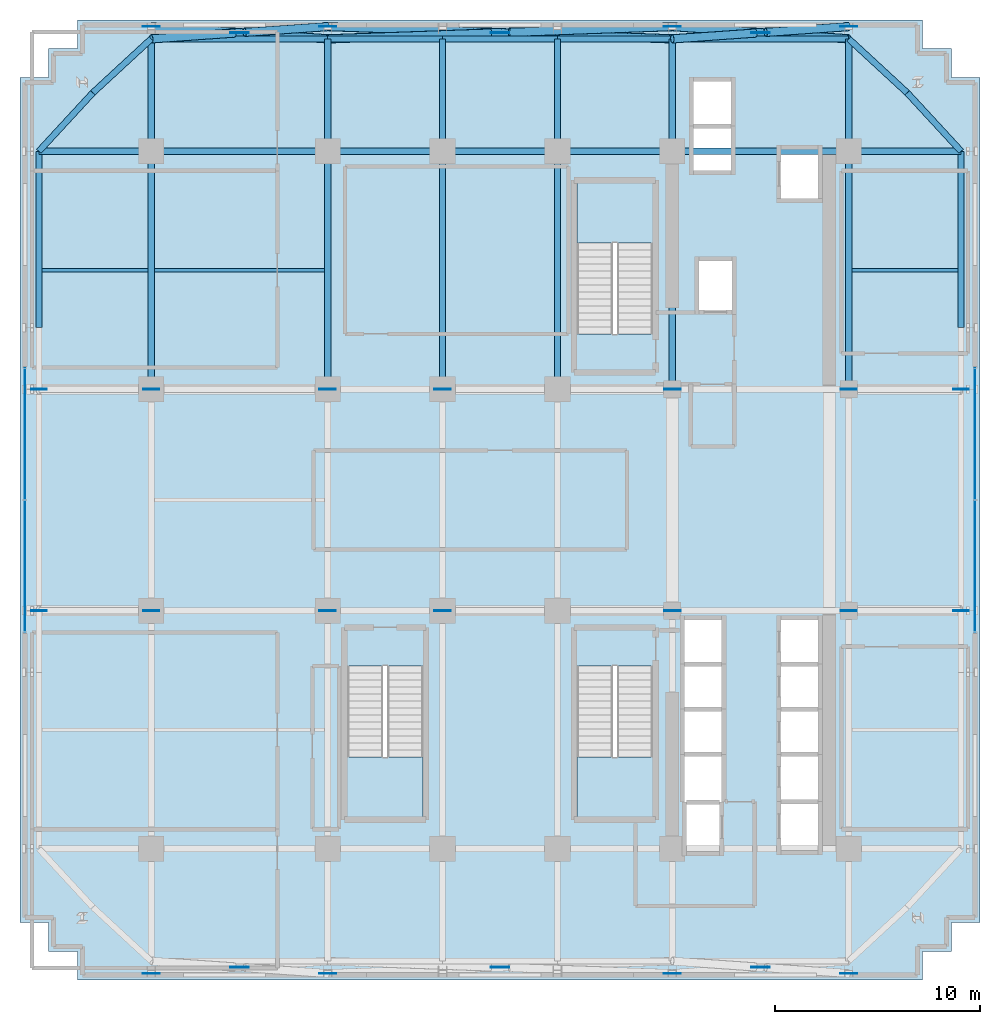
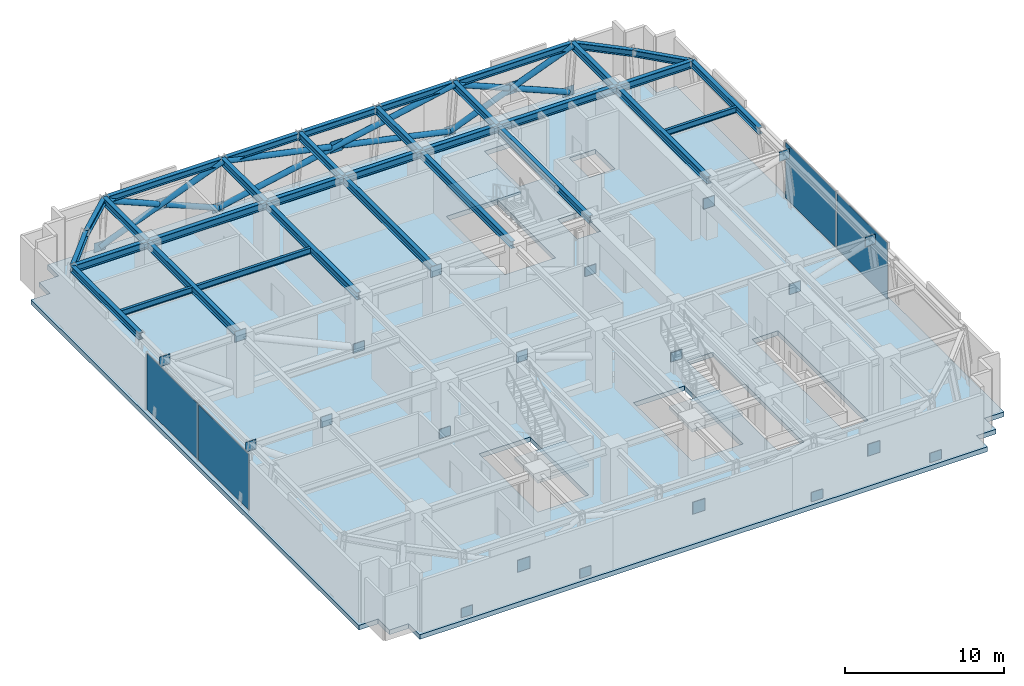
# One storey, part 8 of 15: 33 beams, 32 plates, 9 members, 4 slabs, 5 elements without a shape of their own.
"""IFC4 building model written with IfcOpenShell, lengths in metres."""

from ifc_helpers import new_model, si_unit, direction, frame, origin, origin_2d, place, context, subcontext, project, spatial, polyline, rectangle, hollow_circle, i_section, outline, extrude, source, transform, mapped, material, layer, layer_set, material_profile, profile_set, type_object, element, aggregate, save


model = new_model("IFC4")

# Units and contexts
model_context = context("Model", 3, precision=1e-05, world=origin(), true_north=direction((0.0, 1.0)))
body_context = subcontext(model_context, "Body", "Model", "MODEL_VIEW")
ifc_project = project(units=[si_unit("LENGTHUNIT", "METRE"), si_unit("AREAUNIT", "SQUARE_METRE"), si_unit("VOLUMEUNIT", "CUBIC_METRE"), si_unit("PLANEANGLEUNIT", "RADIAN"), si_unit("MASSUNIT", "GRAM", prefix="KILO")], contexts=[model_context])

# Site, building, storey
site_placement = place(None, origin())
site = spatial("IfcSite", under=ifc_project, at=site_placement, CompositionType="ELEMENT")
building_placement = place(site_placement, origin())
building = spatial("IfcBuilding", under=site, at=building_placement, Name="Nahalor Promenade Grand Hotel", CompositionType="ELEMENT")
storey_placement = place(building_placement, frame((0.0, 0.0, 144.199951171875)))
storey = spatial("IfcBuildingStorey", under=building, at=storey_placement, Name="L36", CompositionType="ELEMENT", Elevation=144.199951171875)

# Beams
ifc_material_1 = material(Name="Steel S355JR", Category="steel")
ifc_material_profile_1 = material_profile(ifc_material_1, i_section(OverallWidth=0.3, OverallDepth=0.5, WebThickness=0.0145, FlangeThickness=0.028, at=origin_2d()), Name="HEB 500")
ifc_profile_set_1 = profile_set([ifc_material_profile_1], Name="Steel S355JR")
beam_type_1 = type_object("IfcBeamType", Name="Beam-Spandrel-HEB500", PredefinedType="SPANDREL", material=ifc_profile_set_1)
shared_shape_1 = source(origin(), body_context, "Body", "SweptSolid", [
    extrude(i_section(OverallWidth=0.3, OverallDepth=0.5, WebThickness=0.0145, FlangeThickness=0.028, at=origin_2d()), origin(), (0.0, 0.0, 1.0), 8.60009765625),
])
for number, where, z_axis, x_axis, name in (
    (1, (-17.0, 22.47998046875, 4.2900390625), (1.0, 0.0, 0.0), (0.0, 1.0, 0.0), "BM-L36-SP-N-0"),
    (2, (8.39990234375, 22.47998046875, 4.2900390625), (1.0, 0.0, 0.0), (0.0, 1.0, 0.0), "BM-L36-SP-N-4"),
    (3, (-22.47998046875, 8.39990234375, 4.2900390625), (0.0, 1.0, 0.0), (-1.0, 0.0, 0.0), "BM-L36-SP-W-4"),
    (4, (22.47998046875, 8.39990234375, 4.2900390625), (0.0, 1.0, 0.0), (-1.0, 0.0, 0.0), "BM-L36-SP-E-4"),
):
    element("IfcBeam", number, at=place(storey_placement, frame(where, z_axis=z_axis, x_axis=x_axis)), inside=storey, type_object=beam_type_1, Name=name, PredefinedType="SPANDREL", context=body_context, shape_type="MappedRepresentation", body=[
        mapped(shared_shape_1, transform((0.0, 0.0, 0.0), scale=1.0)),
    ])
shared_shape_2 = source(origin(), body_context, "Body", "SweptSolid", [
    extrude(i_section(OverallWidth=0.3, OverallDepth=0.5, WebThickness=0.0145, FlangeThickness=0.028, at=origin_2d()), origin(), (0.0, 0.0, 1.0), 5.599853515625),
])
for number, where, z_axis, x_axis, name in (
    (5, (-8.39990234375, 22.47998046875, 4.2900390625), (1.0, 0.0, 0.0), (0.0, 1.0, 0.0), "BM-L36-SP-N-1"),
    (6, (2.800048828125, 22.47998046875, 4.2900390625), (1.0, 0.0, 0.0), (0.0, 1.0, 0.0), "BM-L36-SP-N-3"),
):
    element("IfcBeam", number, at=place(storey_placement, frame(where, z_axis=z_axis, x_axis=x_axis)), inside=storey, type_object=beam_type_1, Name=name, PredefinedType="SPANDREL", context=body_context, shape_type="MappedRepresentation", body=[
        mapped(shared_shape_2, transform((0.0, 0.0, 0.0), scale=1.0)),
    ])
shared_shape_3 = source(origin(), body_context, "Body", "SweptSolid", [
    extrude(i_section(OverallWidth=0.3, OverallDepth=0.5, WebThickness=0.0145, FlangeThickness=0.028, at=origin_2d()), origin(), (0.0, 0.0, 1.0), 5.60009765625),
])
beam_1_placement = place(storey_placement, frame((-2.800048828125, 22.47998046875, 4.2900390625), z_axis=(1.0, 0.0, 0.0), x_axis=(0.0, 1.0, 0.0)))
element("IfcBeam", 7, at=beam_1_placement, inside=storey, type_object=beam_type_1, Name="BM-L36-SP-N-2", PredefinedType="SPANDREL", context=body_context, shape_type="MappedRepresentation", body=[
    mapped(shared_shape_3, transform((0.0, 0.0, 0.0), scale=1.0)),
])
ifc_material_profile_2 = material_profile(ifc_material_1, i_section(OverallWidth=0.3, OverallDepth=0.55, WebThickness=0.015, FlangeThickness=0.029, at=origin_2d()), Name="HEB 550")
ifc_profile_set_2 = profile_set([ifc_material_profile_2], Name="Steel S355JR")
beam_type_2 = type_object("IfcBeamType", Name="Beam-Girder-HEB550", PredefinedType="BEAM", material=ifc_profile_set_2)
shared_shape_4 = source(origin(), body_context, "Body", "SweptSolid", [
    extrude(i_section(OverallWidth=0.3, OverallDepth=0.55, WebThickness=0.015, FlangeThickness=0.029, at=origin_2d()), origin(), (0.0, 0.0, 1.0), 8.60009765625),
])
for number, where, z_axis, x_axis, name in (
    (8, (-17.0, 17.0, 4.26513671875), (1.0, 0.0, 0.0), (0.0, 1.0, 0.0), "BM-L36-GX-3-1"),
    (9, (8.39990234375, 17.0, 4.26513671875), (1.0, 0.0, 0.0), (0.0, 1.0, 0.0), "BM-L36-GX-3-5"),
):
    element("IfcBeam", number, at=place(storey_placement, frame(where, z_axis=z_axis, x_axis=x_axis)), inside=storey, type_object=beam_type_2, Name=name, PredefinedType="BEAM", context=body_context, shape_type="MappedRepresentation", body=[
        mapped(shared_shape_4, transform((0.0, 0.0, 0.0), scale=1.0)),
    ])
shared_shape_5 = source(origin(), body_context, "Body", "SweptSolid", [
    extrude(i_section(OverallWidth=0.3, OverallDepth=0.55, WebThickness=0.015, FlangeThickness=0.029, at=origin_2d()), origin(), (0.0, 0.0, 1.0), 5.599853515625),
])
for number, where, z_axis, x_axis, name in (
    (10, (-8.39990234375, 17.0, 4.26513671875), (1.0, 0.0, 0.0), (0.0, 1.0, 0.0), "BM-L36-GX-3-2"),
    (11, (2.800048828125, 17.0, 4.26513671875), (1.0, 0.0, 0.0), (0.0, 1.0, 0.0), "BM-L36-GX-3-4"),
):
    element("IfcBeam", number, at=place(storey_placement, frame(where, z_axis=z_axis, x_axis=x_axis)), inside=storey, type_object=beam_type_2, Name=name, PredefinedType="BEAM", context=body_context, shape_type="MappedRepresentation", body=[
        mapped(shared_shape_5, transform((0.0, 0.0, 0.0), scale=1.0)),
    ])
shared_shape_6 = source(origin(), body_context, "Body", "SweptSolid", [
    extrude(i_section(OverallWidth=0.3, OverallDepth=0.55, WebThickness=0.015, FlangeThickness=0.029, at=origin_2d()), origin(), (0.0, 0.0, 1.0), 5.60009765625),
])
beam_2_placement = place(storey_placement, frame((-2.800048828125, 17.0, 4.26513671875), z_axis=(1.0, 0.0, 0.0), x_axis=(0.0, 1.0, 0.0)))
element("IfcBeam", 12, at=beam_2_placement, inside=storey, type_object=beam_type_2, Name="BM-L36-GX-3-3", PredefinedType="BEAM", context=body_context, shape_type="MappedRepresentation", body=[
    mapped(shared_shape_6, transform((0.0, 0.0, 0.0), scale=1.0)),
])
shared_shape_7 = source(origin(), body_context, "Body", "SweptSolid", [
    extrude(i_section(OverallWidth=0.3, OverallDepth=0.55, WebThickness=0.015, FlangeThickness=0.029, at=origin_2d()), origin(), (0.0, 0.0, 1.0), 11.60009765625),
])
for number, where, z_axis, x_axis, name in (
    (13, (-17.0, 5.39990234375, 4.26513671875), (0.0, 1.0, 0.0), (-1.0, 0.0, 0.0), "BM-L36-GY-0-3"),
    (14, (-8.39990234375, 5.39990234375, 4.26513671875), (0.0, 1.0, 0.0), (-1.0, 0.0, 0.0), "BM-L36-GY-1-3"),
    (15, (-2.800048828125, 5.39990234375, 4.26513671875), (0.0, 1.0, 0.0), (-1.0, 0.0, 0.0), "BM-L36-GY-2-3"),
    (16, (2.800048828125, 5.39990234375, 4.26513671875), (0.0, 1.0, 0.0), (-1.0, 0.0, 0.0), "BM-L36-GY-3-3"),
    (17, (8.39990234375, 5.39990234375, 4.26513671875), (0.0, 1.0, 0.0), (-1.0, 0.0, 0.0), "BM-L36-GY-4-3"),
    (18, (17.0, 5.39990234375, 4.26513671875), (0.0, 1.0, 0.0), (-1.0, 0.0, 0.0), "BM-L36-GY-5-3"),
):
    element("IfcBeam", number, at=place(storey_placement, frame(where, z_axis=z_axis, x_axis=x_axis)), inside=storey, type_object=beam_type_2, Name=name, PredefinedType="BEAM", context=body_context, shape_type="MappedRepresentation", body=[
        mapped(shared_shape_7, transform((0.0, 0.0, 0.0), scale=1.0)),
    ])
ifc_material_profile_3 = material_profile(ifc_material_1, i_section(OverallWidth=0.19, OverallDepth=0.45, WebThickness=0.0094, FlangeThickness=0.0146, at=origin_2d()), Name="IPE 450")
ifc_profile_set_3 = profile_set([ifc_material_profile_3], Name="Steel S355JR")
beam_type_3 = type_object("IfcBeamType", Name="Beam-Joist-IPE450", PredefinedType="JOIST", material=ifc_profile_set_3)
shared_shape_8 = source(origin(), body_context, "Body", "SweptSolid", [
    extrude(i_section(OverallWidth=0.19, OverallDepth=0.45, WebThickness=0.0094, FlangeThickness=0.0146, at=origin_2d()), origin(), (0.0, 0.0, 1.0), 8.300048828125),
])
beam_3_placement = place(storey_placement, frame((-16.85009765625, 11.199951171875, 4.31494140625), z_axis=(1.0, 0.0, 0.0), x_axis=(0.0, 1.0, 0.0)))
element("IfcBeam", 19, at=beam_3_placement, inside=storey, type_object=beam_type_3, Name="BM-L36-JSW-1-1", PredefinedType="JOIST", context=body_context, shape_type="MappedRepresentation", body=[
    mapped(shared_shape_8, transform((0.0, 0.0, 0.0), scale=1.0)),
])
shared_shape_9 = source(origin(), body_context, "Body", "SweptSolid", [
    extrude(i_section(OverallWidth=0.3, OverallDepth=0.55, WebThickness=0.015, FlangeThickness=0.029, at=origin_2d()), origin(), (0.0, 0.0, 1.0), 5.47998046875),
])
for number, where, z_axis, x_axis, name in (
    (20, (-22.47998046875, 17.0, 4.26513671875), (1.0, 0.0, 0.0), (0.0, 1.0, 0.0), "BM-L36-GX-3-0"),
    (21, (17.0, 17.0, 4.26513671875), (1.0, 0.0, 0.0), (0.0, 1.0, 0.0), "BM-L36-GX-3-6"),
    (22, (-17.0, 17.0, 4.26513671875), (0.0, 1.0, 0.0), (-1.0, 0.0, 0.0), "BM-L36-GY-0-4"),
    (23, (-8.39990234375, 17.0, 4.26513671875), (0.0, 1.0, 0.0), (-1.0, 0.0, 0.0), "BM-L36-GY-1-4"),
    (24, (-2.800048828125, 17.0, 4.26513671875), (0.0, 1.0, 0.0), (-1.0, 0.0, 0.0), "BM-L36-GY-2-4"),
    (25, (2.800048828125, 17.0, 4.26513671875), (0.0, 1.0, 0.0), (-1.0, 0.0, 0.0), "BM-L36-GY-3-4"),
    (26, (8.39990234375, 17.0, 4.26513671875), (0.0, 1.0, 0.0), (-1.0, 0.0, 0.0), "BM-L36-GY-4-4"),
    (27, (17.0, 17.0, 4.26513671875), (0.0, 1.0, 0.0), (-1.0, 0.0, 0.0), "BM-L36-GY-5-4"),
):
    element("IfcBeam", number, at=place(storey_placement, frame(where, z_axis=z_axis, x_axis=x_axis)), inside=storey, type_object=beam_type_2, Name=name, PredefinedType="BEAM", context=body_context, shape_type="MappedRepresentation", body=[
        mapped(shared_shape_9, transform((0.0, 0.0, 0.0), scale=1.0)),
    ])
shared_shape_10 = source(origin(), body_context, "Body", "SweptSolid", [
    extrude(i_section(OverallWidth=0.3, OverallDepth=0.5, WebThickness=0.0145, FlangeThickness=0.028, at=origin_2d()), origin(), (0.0, 0.0, 1.0), 3.878173828125),
])
for number, where, z_axis, x_axis, name in (
    (28, (-17.0, 22.47998046875, 4.2900390625), (-0.73492893846, -0.678144125843, 0.0), (0.678144125843, -0.73492893846, 0.0), "BM-L36-SPC-NW-1"),
    (29, (-19.85009765625, 19.85009765625, 4.2900390625), (-0.678144125843, -0.73492893846, 0.0), (0.73492893846, -0.678144125843, 0.0), "BM-L36-SPC-NW-2"),
    (30, (17.0, 22.47998046875, 4.2900390625), (0.73492893846, -0.678144125843, 0.0), (0.678144125843, 0.73492893846, 0.0), "BM-L36-SPC-NE-1"),
    (31, (19.85009765625, 19.85009765625, 4.2900390625), (0.678144125843, -0.73492893846, 0.0), (0.73492893846, 0.678144125843, 0.0), "BM-L36-SPC-NE-2"),
):
    element("IfcBeam", number, at=place(storey_placement, frame(where, z_axis=z_axis, x_axis=x_axis)), inside=storey, type_object=beam_type_1, Name=name, PredefinedType="SPANDREL", context=body_context, shape_type="MappedRepresentation", body=[
        mapped(shared_shape_10, transform((0.0, 0.0, 0.0), scale=1.0)),
    ])
shared_shape_11 = source(origin(), body_context, "Body", "SweptSolid", [
    extrude(i_section(OverallWidth=0.19, OverallDepth=0.45, WebThickness=0.0094, FlangeThickness=0.0146, at=origin_2d()), origin(), (0.0, 0.0, 1.0), 5.18017578125),
])
for number, where, z_axis, x_axis, name in (
    (32, (-22.330078125, 11.199951171875, 4.31494140625), (1.0, 0.0, 0.0), (0.0, 1.0, 0.0), "BM-L36-JSW-1-0"),
    (33, (17.14990234375, 11.199951171875, 4.31494140625), (1.0, 0.0, 0.0), (0.0, 1.0, 0.0), "BM-L36-JSE-1-2"),
):
    element("IfcBeam", number, at=place(storey_placement, frame(where, z_axis=z_axis, x_axis=x_axis)), inside=storey, type_object=beam_type_3, Name=name, PredefinedType="JOIST", context=body_context, shape_type="MappedRepresentation", body=[
        mapped(shared_shape_11, transform((0.0, 0.0, 0.0), scale=1.0)),
    ])

# Members
ifc_material_2 = material(Name="Steel S355J2", Category="steel")
ifc_material_profile_4 = material_profile(ifc_material_2, hollow_circle(Radius=0.2032, WallThickness=0.02, at=origin_2d()), Name="CHS 406.4x20")
ifc_profile_set_4 = profile_set([ifc_material_profile_4], Name="Steel S355J2")
member_type = type_object("IfcMemberType", Name="Mem-BeltDiag-CHS406", PredefinedType="BRACE", material=ifc_profile_set_4)
shared_shape_12 = source(origin(), body_context, "Body", "SweptSolid", [
    extrude(hollow_circle(Radius=0.2032, WallThickness=0.02, at=origin_2d()), origin(), (0.0, 0.0, 1.0), 9.48291015625),
])
for number, where, z_axis, x_axis, name in (
    (34, (-17.0, 23.080078125, 0.300048828125), (0.906913337455, -0.063282603289, 0.416537525881), (0.069608749203, 0.997574369175, 0.0), "BT-L36-N-D1-0"),
    (35, (8.39990234375, 23.080078125, 0.300048828125), (0.906913337455, -0.063282603289, 0.416537525881), (0.069608749203, 0.997574369175, 0.0), "BT-L36-N-D1-2"),
):
    element("IfcMember", number, at=place(storey_placement, frame(where, z_axis=z_axis, x_axis=x_axis)), inside=storey, type_object=member_type, Name=name, PredefinedType="BRACE", context=body_context, shape_type="MappedRepresentation", body=[
        mapped(shared_shape_12, transform((0.0, 0.0, 0.0), scale=1.0)),
    ])
shared_shape_13 = source(origin(), body_context, "Body", "SweptSolid", [
    extrude(hollow_circle(Radius=0.2032, WallThickness=0.02, at=origin_2d()), origin(), (0.0, 0.0, 1.0), 4.46240234375),
])
for number, where, z_axis, x_axis, name in (
    (36, (-12.952880859375, 22.762451171875, 2.391357421875), (-0.906926357608, -0.063299378401, 0.416506627283), (0.069626117078, -0.997573157127, 0.0), "BT-L36-N-D2-0B"),
    (37, (12.447021484375, 22.762451171875, 2.391357421875), (-0.906926357608, -0.063299378401, 0.416506627283), (0.069626117078, -0.997573157127, 0.0), "BT-L36-N-D2-2B"),
):
    element("IfcMember", number, at=place(storey_placement, frame(where, z_axis=z_axis, x_axis=x_axis)), inside=storey, type_object=member_type, Name=name, PredefinedType="BRACE", context=body_context, shape_type="MappedRepresentation", body=[
        mapped(shared_shape_13, transform((0.0, 0.0, 0.0), scale=1.0)),
    ])
shared_shape_14 = source(origin(), body_context, "Body", "SweptSolid", [
    extrude(hollow_circle(Radius=0.2032, WallThickness=0.02, at=origin_2d()), origin(), (0.0, 0.0, 1.0), 4.462646484375),
])
for number, where, z_axis, x_axis, name in (
    (38, (-8.39990234375, 23.080078125, 0.300048828125), (-0.906905690785, -0.06329793595, 0.416551844703), (0.069626117078, -0.997573157127, 0.0), "BT-L36-N-D2-0A"),
    (39, (17.0, 23.080078125, 0.300048828125), (-0.906905690785, -0.06329793595, 0.416551844703), (0.069626117078, -0.997573157127, 0.0), "BT-L36-N-D2-2A"),
):
    element("IfcMember", number, at=place(storey_placement, frame(where, z_axis=z_axis, x_axis=x_axis)), inside=storey, type_object=member_type, Name=name, PredefinedType="BRACE", context=body_context, shape_type="MappedRepresentation", body=[
        mapped(shared_shape_14, transform((0.0, 0.0, 0.0), scale=1.0)),
    ])
shared_shape_15 = source(origin(), body_context, "Body", "SweptSolid", [
    extrude(hollow_circle(Radius=0.2032, WallThickness=0.02, at=origin_2d()), origin(), (0.0, 0.0, 1.0), 17.268310546875),
])
member_placement = place(storey_placement, frame((-8.39990234375, 23.080078125, 0.300048828125), z_axis=(0.972867212264, -0.034751316743, 0.228739444097), x_axis=(0.035697746763, 0.999362632319, 0.0)))
element("IfcMember", 40, at=member_placement, inside=storey, type_object=member_type, Name="BT-L36-N-D1-1", PredefinedType="BRACE", context=body_context, shape_type="MappedRepresentation", body=[
    mapped(shared_shape_15, transform((0.0, 0.0, 0.0), scale=1.0)),
])
shared_shape_16 = source(origin(), body_context, "Body", "SweptSolid", [
    extrude(hollow_circle(Radius=0.2032, WallThickness=0.02, at=origin_2d()), origin(), (0.0, 0.0, 1.0), 8.169189453125),
])
for number, where, z_axis, x_axis, name in (
    (41, (8.39990234375, 23.080078125, 0.300048828125), (-0.972865854479, -0.034756949859, 0.228744363044), (0.035703575683, -0.99936242409, 0.0), "BT-L36-N-D2-1A"),
    (42, (-0.452392578125, 22.763916015625, 2.38134765625), (-0.972865854479, -0.034756949859, 0.228744363044), (0.035703575683, -0.99936242409, 0.0), "BT-L36-N-D2-1B"),
):
    element("IfcMember", number, at=place(storey_placement, frame(where, z_axis=z_axis, x_axis=x_axis)), inside=storey, type_object=member_type, Name=name, PredefinedType="BRACE", context=body_context, shape_type="MappedRepresentation", body=[
        mapped(shared_shape_16, transform((0.0, 0.0, 0.0), scale=1.0)),
    ])

# Stair, slab
ifc_material_3 = material(Name="Concrete B-50 (C40/50)", Category="concrete")
stair_type_1 = type_object("IfcStairType", Name="Stair-ST1", PredefinedType="HALF_TURN_STAIR", material=ifc_material_3)
stair_1_placement = place(storey_placement, origin())
stair_1 = element("IfcStair", 43, at=stair_1_placement, inside=storey, type_object=stair_type_1, Name="L36 ST1", PredefinedType="HALF_TURN_STAIR")
ifc_layer_1 = layer(ifc_material_3, 0.199951171875)
ifc_layer_set_1 = layer_set([ifc_layer_1], Name="Concrete B-50 (C40/50)")
slab_type_1 = type_object("IfcSlabType", Name="Landing-ST1", PredefinedType="LANDING", material=ifc_layer_set_1)
slab_1_placement = place(storey_placement, frame((0.0, 0.0, 2.199951171875)))
slab_1 = element("IfcSlab", 44, at=slab_1_placement, type_object=slab_type_1, Name="ST1 landing 1", PredefinedType="LANDING", context=body_context, shape_type="SweptSolid", body=[
    extrude(outline(polyline([(7.449951171875, 12.52001953125), (7.449951171875, 15.449951171875), (3.75, 15.449951171875), (3.75, 12.52001953125), (7.449951171875, 12.52001953125)])), origin(), (0.0, 0.0, 1.0), 0.2001953125),
])
aggregate(stair_1, [slab_1])

stair_type_2 = type_object("IfcStairType", Name="Stair-ST2", PredefinedType="HALF_TURN_STAIR", material=ifc_material_3)
stair_2_placement = place(storey_placement, origin())
stair_2 = element("IfcStair", 45, at=stair_2_placement, inside=storey, type_object=stair_type_2, Name="L36 ST2", PredefinedType="HALF_TURN_STAIR")
ifc_layer_2 = layer(ifc_material_3, 0.2099609375)
ifc_layer_set_2 = layer_set([ifc_layer_2], Name="Concrete B-50 (C40/50)")
slab_type_2 = type_object("IfcSlabType", Name="Landing-ST2", PredefinedType="LANDING", material=ifc_layer_set_2)
slab_2_placement = place(storey_placement, frame((0.0, 0.0, 2.18994140625)))
slab_2 = element("IfcSlab", 46, at=slab_2_placement, type_object=slab_type_2, Name="ST2 landing 1", PredefinedType="LANDING", context=body_context, shape_type="SweptSolid", body=[
    extrude(outline(polyline([(3.75, -12.52001953125), (3.75, -15.449951171875), (7.449951171875, -15.449951171875), (7.449951171875, -12.52001953125), (3.75, -12.52001953125)])), origin(), (0.0, 0.0, 1.0), 0.210205078125),
])
aggregate(stair_2, [slab_2])

stair_type_3 = type_object("IfcStairType", Name="Stair-ST3", PredefinedType="HALF_TURN_STAIR", material=ifc_material_3)
stair_3_placement = place(storey_placement, origin())
stair_3 = element("IfcStair", 47, at=stair_3_placement, inside=storey, type_object=stair_type_3, Name="L36 ST3", PredefinedType="HALF_TURN_STAIR")
ifc_layer_3 = layer(ifc_material_3, 0.219970703125)
ifc_layer_set_3 = layer_set([ifc_layer_3], Name="Concrete B-50 (C40/50)")
slab_type_3 = type_object("IfcSlabType", Name="Landing-ST3", PredefinedType="LANDING", material=ifc_layer_set_3)
slab_3_placement = place(storey_placement, frame((0.0, 0.0, 2.179931640625)))
slab_3 = element("IfcSlab", 48, at=slab_3_placement, type_object=slab_type_3, Name="ST3 landing 1", PredefinedType="LANDING", context=body_context, shape_type="SweptSolid", body=[
    extrude(outline(polyline([(-7.449951171875, -12.52001953125), (-7.449951171875, -15.449951171875), (-3.75, -15.449951171875), (-3.75, -12.52001953125), (-7.449951171875, -12.52001953125)])), origin(), (0.0, 0.0, 1.0), 0.22021484375),
])
aggregate(stair_3, [slab_3])

# Slab
ifc_material_4 = material(Name="Concrete B-60 (C50/60)", Category="concrete")
ifc_layer_4 = layer(ifc_material_4, 0.360107421875)
ifc_layer_set_4 = layer_set([ifc_layer_4], Name="Concrete B-60 (C50/60)")
slab_type_4 = type_object("IfcSlabType", Name="Slab-Refuge-360", PredefinedType="FLOOR", material=ifc_layer_set_4)
slab_4_placement = place(storey_placement, frame((0.0, 0.0, -0.35986328125)))
element("IfcSlab", 49, at=slab_4_placement, inside=storey, type_object=slab_type_4, Name="L36 Suspended Structural Floor Slab", PredefinedType="FLOOR", context=body_context, shape_type="SweptSolid", body=[
    extrude(outline(polyline([(-20.60009765625, -23.39990234375), (20.60009765625, -23.39990234375), (20.60009765625, -22.0), (22.0, -22.0), (22.0, -20.60009765625), (23.39990234375, -20.60009765625), (23.39990234375, 20.60009765625), (22.0, 20.60009765625), (22.0, 22.0), (20.60009765625, 22.0), (20.60009765625, 23.39990234375), (-20.60009765625, 23.39990234375), (-20.60009765625, 22.0), (-22.0, 22.0), (-22.0, 20.60009765625), (-23.39990234375, 20.60009765625), (-23.39990234375, -20.60009765625), (-22.0, -20.60009765625), (-22.0, -22.0), (-20.60009765625, -22.0), (-20.60009765625, -23.39990234375)]), holes=[polyline([(3.75, 8.10009765625), (7.449951171875, 8.10009765625), (7.449951171875, 15.449951171875), (3.75, 15.449951171875), (3.75, 8.10009765625)]), polyline([(3.75, -15.449951171875), (7.449951171875, -15.449951171875), (7.449951171875, -8.10009765625), (3.75, -8.10009765625), (3.75, -15.449951171875)]), polyline([(-7.449951171875, -15.449951171875), (-3.75, -15.449951171875), (-3.75, -8.10009765625), (-7.449951171875, -8.10009765625), (-7.449951171875, -15.449951171875)]), polyline([(13.659912109375, -17.139892578125), (15.5400390625, -17.139892578125), (15.5400390625, -5.81005859375), (13.659912109375, -5.81005859375), (13.659912109375, -17.139892578125)]), polyline([(8.9599609375, -17.18994140625), (10.840087890625, -17.18994140625), (10.840087890625, -5.81005859375), (8.9599609375, -5.81005859375), (8.9599609375, -17.18994140625)]), polyline([(9.409912109375, 16.010009765625), (11.2900390625, 16.010009765625), (11.2900390625, 20.43994140625), (9.409912109375, 20.43994140625), (9.409912109375, 16.010009765625)]), polyline([(9.659912109375, 9.2099609375), (11.340087890625, 9.2099609375), (11.340087890625, 11.68994140625), (9.659912109375, 11.68994140625), (9.659912109375, 9.2099609375)]), polyline([(13.659912109375, 14.659912109375), (15.5400390625, 14.659912109375), (15.5400390625, 17.139892578125), (13.659912109375, 17.139892578125), (13.659912109375, 14.659912109375)])]), origin(), (0.0, 0.0, 1.0), 0.35986328125),
])

# Plates
ifc_layer_5 = layer(ifc_material_2, 0.035888671875)
ifc_layer_set_5 = layer_set([ifc_layer_5], Name="Steel S355J2")
plate_type_1 = type_object("IfcPlateType", Name="Plate-CrossGusset-36", PredefinedType="USERDEFINED", material=ifc_layer_set_5)
shared_shape_17 = source(origin(), body_context, "Body", "SweptSolid", [
    extrude(rectangle(XDim=0.89990234375, YDim=0.035888671875, at=origin_2d()), origin(), (0.0, 0.0, 1.0), 0.89990234375),
])
for number, where, z_axis, x_axis, name in (
    (50, (-12.699951171875, -22.780029296875, 1.8251953125), (0.0, 0.0, 1.0), (1.0, 0.0, 0.0), "PL-L36-BTX-S-0"),
    (51, (0.0, -22.780029296875, 1.8251953125), (0.0, 0.0, 1.0), (1.0, 0.0, 0.0), "PL-L36-BTX-S-1"),
    (52, (12.699951171875, -22.780029296875, 1.8251953125), (0.0, 0.0, 1.0), (1.0, 0.0, 0.0), "PL-L36-BTX-S-2"),
    (53, (-12.699951171875, 22.780029296875, 1.8251953125), (0.0, 0.0, 1.0), (1.0, 0.0, 0.0), "PL-L36-BTX-N-0"),
    (54, (0.0, 22.780029296875, 1.8251953125), (0.0, 0.0, 1.0), (1.0, 0.0, 0.0), "PL-L36-BTX-N-1"),
    (55, (12.699951171875, 22.780029296875, 1.8251953125), (0.0, 0.0, 1.0), (1.0, 0.0, 0.0), "PL-L36-BTX-N-2"),
):
    element("IfcPlate", number, at=place(storey_placement, frame(where, z_axis=z_axis, x_axis=x_axis)), inside=storey, type_object=plate_type_1, Name=name, ObjectType="GUSSET_PLATE", PredefinedType="USERDEFINED", context=body_context, shape_type="MappedRepresentation", body=[
        mapped(shared_shape_17, transform((0.0, 0.0, 0.0), scale=1.0)),
    ])
ifc_layer_6 = layer(ifc_material_2, 0.031982421875)
ifc_layer_set_6 = layer_set([ifc_layer_6], Name="Steel S355J2")
plate_type_2 = type_object("IfcPlateType", Name="Plate-Gusset-32", PredefinedType="USERDEFINED", material=ifc_layer_set_6)
shared_shape_18 = source(origin(), body_context, "Body", "SweptSolid", [
    extrude(rectangle(XDim=0.800048828125, YDim=0.031982421875, at=origin_2d()), origin(), (0.0, 0.0, 1.0), 0.800048828125),
])
for number, where, z_axis, x_axis, name in (
    (56, (8.39990234375, -5.39990234375, -0.10009765625), (0.0, 0.0, 1.0), (1.0, 0.0, 0.0), "PL-L36-OU-1-1"),
    (57, (-2.800048828125, -5.39990234375, 3.85009765625), (0.0, 0.0, 1.0), (1.0, 0.0, 0.0), "PL-L36-OU-1-2"),
    (58, (-8.39990234375, -5.39990234375, -0.10009765625), (0.0, 0.0, 1.0), (1.0, 0.0, 0.0), "PL-L36-OU-1-3"),
    (59, (-17.0, -5.39990234375, 3.85009765625), (0.0, 0.0, 1.0), (1.0, 0.0, 0.0), "PL-L36-OU-1-4"),
    (60, (17.0, -5.39990234375, 2.14990234375), (0.0, 0.0, 1.0), (1.0, 0.0, 0.0), "PL-L36-OU-1-6"),
    (61, (8.39990234375, 5.39990234375, -0.10009765625), (0.0, 0.0, 1.0), (1.0, 0.0, 0.0), "PL-L36-OU-2-1"),
    (62, (-2.800048828125, 5.39990234375, 3.85009765625), (0.0, 0.0, 1.0), (1.0, 0.0, 0.0), "PL-L36-OU-2-2"),
    (63, (-8.39990234375, 5.39990234375, -0.10009765625), (0.0, 0.0, 1.0), (1.0, 0.0, 0.0), "PL-L36-OU-2-3"),
    (64, (-17.0, 5.39990234375, 3.85009765625), (0.0, 0.0, 1.0), (1.0, 0.0, 0.0), "PL-L36-OU-2-4"),
    (65, (17.0, 5.39990234375, 2.14990234375), (0.0, 0.0, 1.0), (1.0, 0.0, 0.0), "PL-L36-OU-2-6"),
):
    element("IfcPlate", number, at=place(storey_placement, frame(where, z_axis=z_axis, x_axis=x_axis)), inside=storey, type_object=plate_type_2, Name=name, ObjectType="GUSSET_PLATE", PredefinedType="USERDEFINED", context=body_context, shape_type="MappedRepresentation", body=[
        mapped(shared_shape_18, transform((0.0, 0.0, 0.0), scale=1.0)),
    ])
ifc_layer_7 = layer(ifc_material_1, 0.028076171875)
ifc_layer_set_7 = layer_set([ifc_layer_7], Name="Steel S355JR")
plate_type_3 = type_object("IfcPlateType", Name="Plate-Gusset-28", PredefinedType="USERDEFINED", material=ifc_layer_set_7)
shared_shape_19 = source(origin(), body_context, "Body", "SweptSolid", [
    extrude(rectangle(XDim=0.75, YDim=0.028076171875, at=origin_2d()), origin(), (0.0, 0.0, 1.0), 0.75),
])
for number, where, z_axis, x_axis, name in (
    (66, (-22.47998046875, -5.39990234375, 3.875), (0.0, 0.0, 1.0), (1.0, 0.0, 0.0), "PL-L36-OU-1-5"),
    (67, (22.47998046875, -5.39990234375, 3.875), (0.0, 0.0, 1.0), (1.0, 0.0, 0.0), "PL-L36-OU-1-7"),
    (68, (-22.47998046875, 5.39990234375, 3.875), (0.0, 0.0, 1.0), (1.0, 0.0, 0.0), "PL-L36-OU-2-5"),
    (69, (22.47998046875, 5.39990234375, 3.875), (0.0, 0.0, 1.0), (1.0, 0.0, 0.0), "PL-L36-OU-2-7"),
):
    element("IfcPlate", number, at=place(storey_placement, frame(where, z_axis=z_axis, x_axis=x_axis)), inside=storey, type_object=plate_type_3, Name=name, ObjectType="GUSSET_PLATE", PredefinedType="USERDEFINED", context=body_context, shape_type="MappedRepresentation", body=[
        mapped(shared_shape_19, transform((0.0, 0.0, 0.0), scale=1.0)),
    ])
ifc_layer_8 = layer(ifc_material_2, 0.031982421875)
ifc_layer_set_8 = layer_set([ifc_layer_8], Name="Steel S355J2")
plate_type_4 = type_object("IfcPlateType", Name="Plate-BeltGusset-32", PredefinedType="USERDEFINED", material=ifc_layer_set_8)
shared_shape_20 = source(origin(), body_context, "Body", "SweptSolid", [
    extrude(rectangle(XDim=0.820068359375, YDim=0.031982421875, at=origin_2d()), origin(), (0.0, 0.0, 1.0), 0.820068359375),
])
for number, where, z_axis, x_axis, name in (
    (70, (-17.0, -23.080078125, -0.10986328125), (0.0, 0.0, 1.0), (1.0, 0.0, 0.0), "PL-L36-BELT-S-1"),
    (71, (-8.39990234375, -23.080078125, -0.10986328125), (0.0, 0.0, 1.0), (1.0, 0.0, 0.0), "PL-L36-BELT-S-2"),
    (72, (8.39990234375, -23.080078125, -0.10986328125), (0.0, 0.0, 1.0), (1.0, 0.0, 0.0), "PL-L36-BELT-S-3"),
    (73, (17.0, -23.080078125, -0.10986328125), (0.0, 0.0, 1.0), (1.0, 0.0, 0.0), "PL-L36-BELT-S-4"),
    (74, (-17.0, 23.080078125, -0.10986328125), (0.0, 0.0, 1.0), (1.0, 0.0, 0.0), "PL-L36-BELT-N-1"),
    (75, (-8.39990234375, 23.080078125, -0.10986328125), (0.0, 0.0, 1.0), (1.0, 0.0, 0.0), "PL-L36-BELT-N-2"),
    (76, (8.39990234375, 23.080078125, -0.10986328125), (0.0, 0.0, 1.0), (1.0, 0.0, 0.0), "PL-L36-BELT-N-3"),
    (77, (17.0, 23.080078125, -0.10986328125), (0.0, 0.0, 1.0), (1.0, 0.0, 0.0), "PL-L36-BELT-N-4"),
):
    element("IfcPlate", number, at=place(storey_placement, frame(where, z_axis=z_axis, x_axis=x_axis)), inside=storey, type_object=plate_type_4, Name=name, ObjectType="GUSSET_PLATE", PredefinedType="USERDEFINED", context=body_context, shape_type="MappedRepresentation", body=[
        mapped(shared_shape_20, transform((0.0, 0.0, 0.0), scale=1.0)),
    ])

# Curtain wall, plates
ifc_material_5 = material(Name="Anodised Bronze Aluminium EN AW-6063 T6", Category="aluminium")
curtain_wall_type = type_object("IfcCurtainWallType", Name="CW6 Crown Botanical Conservatory Curtain Wall", PredefinedType="USERDEFINED", material=ifc_material_5)
curtain_wall_1_placement = place(storey_placement, origin())
curtain_wall_1 = element("IfcCurtainWall", 78, at=curtain_wall_1_placement, inside=storey, type_object=curtain_wall_type, Name="L36 Curtain Wall CW-L36-W", ObjectType="UNITISED_CURTAIN_WALL", PredefinedType="USERDEFINED")
ifc_material_6 = material(Name="Low-E Laminated Solar Glass", Category="glass")
ifc_layer_9 = layer(ifc_material_6, 0.033935546875)
ifc_layer_set_9 = layer_set([ifc_layer_9], Name="Low-E Laminated Solar Glass")
plate_type_5 = type_object("IfcPlateType", Name="CWP6 Conservatory Solar-Select IGU 34mm", PredefinedType="CURTAIN_PANEL", material=ifc_layer_set_9)
shared_shape_21 = source(origin(), body_context, "Body", "SweptSolid", [
    extrude(rectangle(XDim=6.387451171875, YDim=0.033935546875, at=origin_2d()), origin(), (0.0, 0.0, 1.0), 4.27001953125),
])
plate_1_placement = place(storey_placement, frame((-23.159912109375, -3.231201171875, 0.135009765625), z_axis=(0.0, 0.0, 1.0), x_axis=(0.0, 1.0, 0.0)))
plate_1 = element("IfcPlate", 79, at=plate_1_placement, type_object=plate_type_5, Name="CW-L36-W Glazing Panel 0-0", PredefinedType="CURTAIN_PANEL", context=body_context, shape_type="MappedRepresentation", body=[
    mapped(shared_shape_21, transform((0.0, 0.0, 0.0), scale=1.0)),
])
plate_2_placement = place(storey_placement, frame((-23.159912109375, 3.231201171875, 0.135009765625), z_axis=(0.0, 0.0, 1.0), x_axis=(0.0, 1.0, 0.0)))
plate_2 = element("IfcPlate", 80, at=plate_2_placement, type_object=plate_type_5, Name="CW-L36-W Glazing Panel 1-0", PredefinedType="CURTAIN_PANEL", context=body_context, shape_type="MappedRepresentation", body=[
    mapped(shared_shape_21, transform((0.0, 0.0, 0.0), scale=1.0)),
])
aggregate(curtain_wall_1, [plate_1, plate_2])

curtain_wall_2_placement = place(storey_placement, origin())
curtain_wall_2 = element("IfcCurtainWall", 81, at=curtain_wall_2_placement, inside=storey, type_object=curtain_wall_type, Name="L36 Curtain Wall CW-L36-E", ObjectType="UNITISED_CURTAIN_WALL", PredefinedType="USERDEFINED")
plate_3_placement = place(storey_placement, frame((23.159912109375, -3.231201171875, 0.135009765625), z_axis=(0.0, 0.0, 1.0), x_axis=(0.0, 1.0, 0.0)))
plate_3 = element("IfcPlate", 82, at=plate_3_placement, type_object=plate_type_5, Name="CW-L36-E Glazing Panel 0-0", PredefinedType="CURTAIN_PANEL", context=body_context, shape_type="MappedRepresentation", body=[
    mapped(shared_shape_21, transform((0.0, 0.0, 0.0), scale=1.0)),
])
plate_4_placement = place(storey_placement, frame((23.159912109375, 3.231201171875, 0.135009765625), z_axis=(0.0, 0.0, 1.0), x_axis=(0.0, 1.0, 0.0)))
plate_4 = element("IfcPlate", 83, at=plate_4_placement, type_object=plate_type_5, Name="CW-L36-E Glazing Panel 1-0", PredefinedType="CURTAIN_PANEL", context=body_context, shape_type="MappedRepresentation", body=[
    mapped(shared_shape_21, transform((0.0, 0.0, 0.0), scale=1.0)),
])
aggregate(curtain_wall_2, [plate_3, plate_4])

save(model, "model.ifc")
